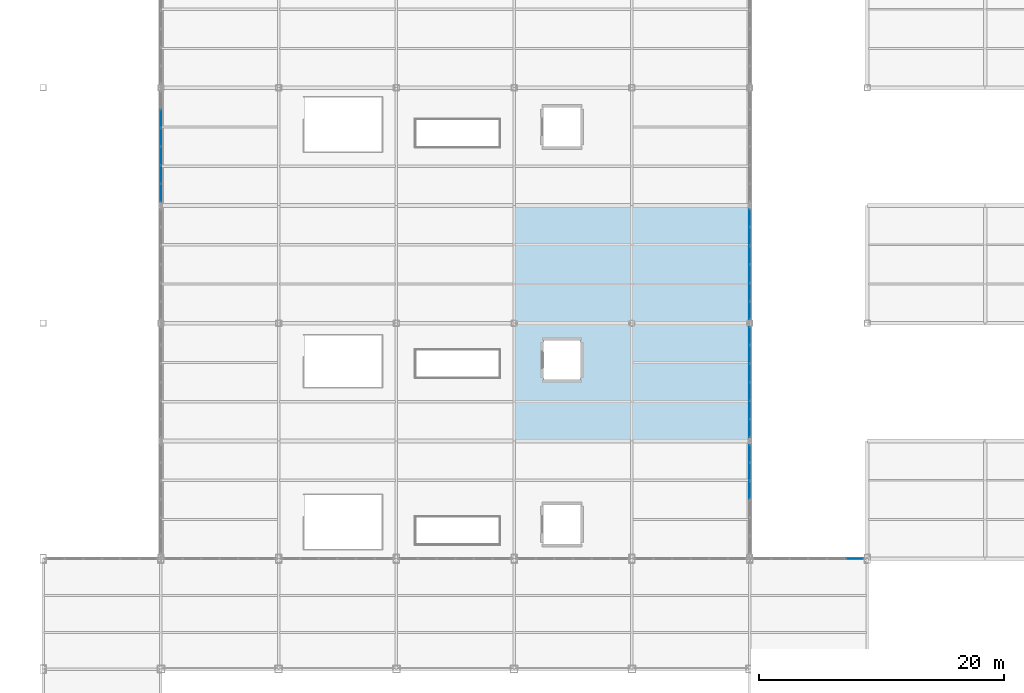
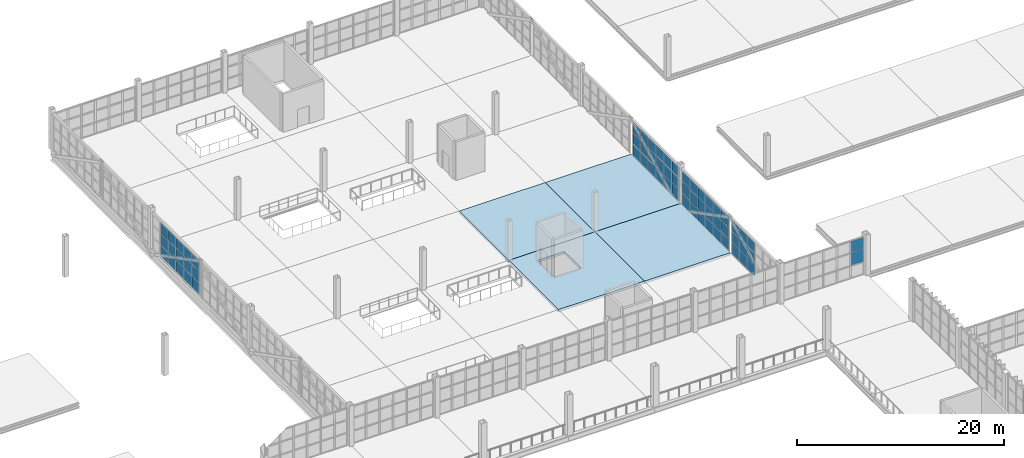
# One storey, part 85 of 120: 62 plates, 4 slabs, 5 elements without a shape of their own.
"""IFC4 building model written with IfcOpenShell, lengths in metres."""

import ifcopenshell
import ifcopenshell.guid

model = None  # the IFC model being written
_history = None  # IfcOwnerHistory: only IFC2X3 demands one
_inside = {}  # id of a spatial element -> (the spatial element, [elements in it])
_under = {}  # id of a project, library or spatial element -> (it, [spatial elements below it])
_declared = {}  # id of a project -> (the project, [libraries it declares])
_typed = {}  # id of a type object -> (the type object, [elements of that type])
_made_of = {}  # id of a material, layer set ... -> (it, [elements and type objects made of it])


def new_model(schema):
    """Start an empty IFC model of exactly this schema.

    Asked for "IFC4X3", IfcOpenShell would pick the latest addendum, in which some entities
    have other attributes; the version numbers below select the first issue.
    IFC2X3 requires an IfcOwnerHistory on every rooted entity: one is made here for all.
    """
    global model, _history
    if schema == "IFC4X3":
        model = ifcopenshell.file(schema_version=(4, 3, 0, 0))
    else:
        model = ifcopenshell.file(schema=schema)
    _inside.clear()
    _under.clear()
    _declared.clear()
    _typed.clear()
    _made_of.clear()
    _history = None
    if model.schema == "IFC2X3":
        org = make("IfcOrganization", Name="unknown")
        user = make(
            "IfcPersonAndOrganization",
            ThePerson=make("IfcPerson", FamilyName="unknown"),
            TheOrganization=org,
        )
        app = make(
            "IfcApplication",
            ApplicationDeveloper=org,
            Version="unknown",
            ApplicationFullName="unknown",
            ApplicationIdentifier="unknown",
        )
        _history = make(
            "IfcOwnerHistory",
            OwningUser=user,
            OwningApplication=app,
            ChangeAction="ADDED",
            CreationDate=0,
        )
    return model


def make(cls, **values):
    """One entity of the class cls with the attributes given. An attribute that is None is left unset."""
    return model.create_entity(
        cls, **{name: value for name, value in values.items() if value is not None}
    )


def rooted(cls, **values):
    """An entity with a GlobalId (a new one), such as an element, a storey or a relation."""
    return make(cls, GlobalId=ifcopenshell.guid.new(), OwnerHistory=_history, **values)


def si_unit(unit_type, name, prefix=None):
    """IfcSIUnit, for example si_unit("LENGTHUNIT", "METRE", prefix="MILLI")."""
    return make("IfcSIUnit", UnitType=unit_type, Prefix=prefix, Name=name)


def assignment(units):
    """IfcUnitAssignment: the units of a project."""
    return None if units is None else make("IfcUnitAssignment", Units=units)


def point(xyz):
    """IfcCartesianPoint."""
    return None if xyz is None else make("IfcCartesianPoint", Coordinates=xyz)


def direction(xyz):
    """IfcDirection."""
    return None if xyz is None else make("IfcDirection", DirectionRatios=xyz)


def frame(location, z_axis=None, x_axis=None):
    """IfcAxis2Placement3D, a coordinate frame: its origin and axes. An axis left out is left unset."""
    return make(
        "IfcAxis2Placement3D",
        Location=point(location),
        Axis=direction(z_axis),
        RefDirection=direction(x_axis),
    )


def frame_2d(location, x_axis=None):
    """IfcAxis2Placement2D, a coordinate frame in the plane: its origin and x axis."""
    return make(
        "IfcAxis2Placement2D", Location=point(location), RefDirection=direction(x_axis)
    )


def origin():
    """The frame at (0, 0, 0) with its axes left unset."""
    return frame((0.0, 0.0, 0.0))


def origin_2d():
    """The frame at (0, 0) in the plane with its x axis left unset."""
    return frame_2d((0.0, 0.0))


def place(relative_to, where):
    """IfcLocalPlacement: puts the frame where relative to a parent placement (None: the world)."""
    return make(
        "IfcLocalPlacement", PlacementRelTo=relative_to, RelativePlacement=where
    )


def context(
    kind, dimensions, precision=None, world=None, true_north=None, identifier=None
):
    """IfcGeometricRepresentationContext, for example the 3D "Model" context."""
    return make(
        "IfcGeometricRepresentationContext",
        ContextIdentifier=identifier,
        ContextType=kind,
        CoordinateSpaceDimension=dimensions,
        Precision=precision,
        WorldCoordinateSystem=world,
        TrueNorth=true_north,
    )


def subcontext(parent, identifier, kind, view, scale=None):
    """IfcGeometricRepresentationSubContext, for example "Body" below "Model"."""
    return make(
        "IfcGeometricRepresentationSubContext",
        ContextIdentifier=identifier,
        ContextType=kind,
        ParentContext=parent,
        TargetScale=scale,
        TargetView=view,
    )


def project(units=None, contexts=None):
    """IfcProject with its units and contexts."""
    return rooted(
        "IfcProject",
        Name="project",
        RepresentationContexts=contexts,
        UnitsInContext=assignment(units),
    )


def spatial(cls, under=None, at=None, **own):
    """A site, building, storey or space (cls), placed at a placement, below another one or the project."""
    s = rooted(cls, ObjectPlacement=at, **own)
    if under is not None:
        _under.setdefault(under.id(), (under, []))[1].append(s)
    return s


def polyline(points):
    """IfcPolyline through the points."""
    return make("IfcPolyline", Points=[point(p) for p in points])


def profile(cls, at=None, kind="AREA", **sizes):
    """A parametric profile (cls). Its sizes go by their IFC names, for example OverallWidth=200.0."""
    return make(cls, ProfileType=kind, Position=at, **sizes)


def rectangle(**sizes):
    """IfcRectangleProfileDef."""
    return profile("IfcRectangleProfileDef", **sizes)


def outline(outer, holes=None, kind="AREA"):
    """IfcArbitraryClosedProfileDef: a profile drawn as a closed curve; with holes, ...WithVoids."""
    if holes is None:
        return make("IfcArbitraryClosedProfileDef", ProfileType=kind, OuterCurve=outer)
    return make(
        "IfcArbitraryProfileDefWithVoids",
        ProfileType=kind,
        OuterCurve=outer,
        InnerCurves=holes,
    )


def extrude(swept, where, along, depth):
    """IfcExtrudedAreaSolid: the profile swept, set in the frame where, extruded along a direction by depth."""
    return make(
        "IfcExtrudedAreaSolid",
        SweptArea=swept,
        Position=where,
        ExtrudedDirection=direction(along),
        Depth=depth,
    )


def shape(context_of_items, identifier, shape_type, items):
    """IfcShapeRepresentation: the items that make up one representation, for example the "Body"."""
    return make(
        "IfcShapeRepresentation",
        ContextOfItems=context_of_items,
        RepresentationIdentifier=identifier,
        RepresentationType=shape_type,
        Items=items,
    )


def material(Name=None, Category=None):
    """IfcMaterial."""
    return make("IfcMaterial", Name=Name, Category=Category)


def layer(
    of_material, thickness, ventilated=None, Name=None, Category=None, Priority=None
):
    """IfcMaterialLayer: one layer of a wall or slab, of a material (None: an air gap)."""
    return make(
        "IfcMaterialLayer",
        Material=of_material,
        LayerThickness=thickness,
        IsVentilated=ventilated,
        Name=Name,
        Category=Category,
        Priority=Priority,
    )


def layer_set(layers, Name=None):
    """IfcMaterialLayerSet."""
    return make("IfcMaterialLayerSet", MaterialLayers=layers, LayerSetName=Name)


def made_of(thing, what):
    """Note that an element or type object is made of a material, layer set ...; save() writes the relation."""
    if what is not None:
        _made_of.setdefault(what.id(), (what, []))[1].append(thing)
    return thing


def type_object(cls, material=None, **own):
    """A type object (cls), such as IfcWallType, which elements share."""
    return made_of(rooted(cls, **own), material)


def element(
    cls,
    number,
    at=None,
    inside=None,
    cuts=None,
    type_object=None,
    material=None,
    context=None,
    identifier="Body",
    shape_type=None,
    held_by="IfcProductDefinitionShape",
    body=None,
    shapes=None,
    **own,
):
    """One element of the class cls, such as IfcWall. Its Tag is "e" and its number.

    at: its placement. inside: the storey or other place that contains it. cuts: it is an
    opening in that element (IfcRelVoidsElement). A single representation is given by context,
    identifier, shape_type and body (its items); several are given by shapes. held_by: the class
    of the entity that holds the representations. save() writes the other relations.
    """
    e = rooted(cls, Tag="e%d" % number, ObjectPlacement=at, **own)
    if body is not None:
        shapes = [shape(context, identifier, shape_type, body)]
    if shapes is not None:
        e.Representation = make(held_by, Representations=shapes)
    if inside is not None:
        _inside.setdefault(inside.id(), (inside, []))[1].append(e)
    if cuts is not None:
        rooted(
            "IfcRelVoidsElement", RelatingBuildingElement=cuts, RelatedOpeningElement=e
        )
    if type_object is not None:
        _typed.setdefault(type_object.id(), (type_object, []))[1].append(e)
    return made_of(e, material)


def aggregate(whole, parts):
    """IfcRelAggregates: a whole, such as a stair, and the parts it consists of."""
    return rooted("IfcRelAggregates", RelatingObject=whole, RelatedObjects=parts)


def save(model, path):
    """Write the relations noted so far, then the file.

    IfcRelAggregates (storeys below a building ...), IfcRelContainedInSpatialStructure (elements
    in a storey), IfcRelDefinesByType, IfcRelAssociatesMaterial and IfcRelDeclares: one each for
    every whole, place, type object, material and project.
    """
    for whole, parts in _under.values():
        aggregate(whole, parts)
    for where, things in _inside.values():
        rooted(
            "IfcRelContainedInSpatialStructure",
            RelatedElements=things,
            RelatingStructure=where,
        )
    for kind, things in _typed.values():
        rooted("IfcRelDefinesByType", RelatedObjects=things, RelatingType=kind)
    for what, things in _made_of.values():
        rooted("IfcRelAssociatesMaterial", RelatedObjects=things, RelatingMaterial=what)
    for by, libraries in _declared.values():
        rooted("IfcRelDeclares", RelatingContext=by, RelatedDefinitions=libraries)
    model.write(path)


model = new_model("IFC4")

# Units and contexts
model_context = context("Model", 3, precision=1e-05, world=origin(), true_north=direction((0.0, 1.0)))
body_context = subcontext(model_context, "Body", "Model", "MODEL_VIEW")
ifc_project = project(units=[si_unit("LENGTHUNIT", "METRE"), si_unit("AREAUNIT", "SQUARE_METRE"), si_unit("VOLUMEUNIT", "CUBIC_METRE"), si_unit("PLANEANGLEUNIT", "RADIAN"), si_unit("MASSUNIT", "GRAM", prefix="KILO")], contexts=[model_context])

# Site, building, storey
site_placement = place(None, origin())
site = spatial("IfcSite", under=ifc_project, at=site_placement, CompositionType="ELEMENT")
building_placement = place(site_placement, origin())
building = spatial("IfcBuilding", under=site, at=building_placement, Name="Zarnetskaya Central Station", CompositionType="ELEMENT")
storey_placement = place(building_placement, frame((0.0, 0.0, 5.39990234375)))
storey = spatial("IfcBuildingStorey", under=building, at=storey_placement, Name="L01", CompositionType="ELEMENT", Elevation=5.39990234375)

# Curtain wall, plates
ifc_material_1 = material(Name="Low-E insulated glass", Category="glass")
ifc_layer_1 = layer(ifc_material_1, 0.172119140625, Name="Low-E insulated glass", Category="glass")
ifc_layer_set_1 = layer_set([ifc_layer_1], Name="Low-E insulated glass")
curtain_wall_type_1 = type_object("IfcCurtainWallType", Name="CW-SYS-09", PredefinedType="USERDEFINED", material=ifc_layer_set_1)
curtain_wall_1_placement = place(storey_placement, origin())
curtain_wall_1 = element("IfcCurtainWall", 1, at=curtain_wall_1_placement, inside=storey, type_object=curtain_wall_type_1, Name="Curtain wall CW-L01-160", ObjectType="CURTAIN WALL", PredefinedType="USERDEFINED")
ifc_layer_2 = layer(ifc_material_1, 0.028076171875, Name="Low-E insulated glass", Category="glass")
ifc_layer_set_2 = layer_set([ifc_layer_2], Name="Low-E insulated glass")
plate_type_1 = type_object("IfcPlateType", Name="CW-PAN-28", PredefinedType="CURTAIN_PANEL", material=ifc_layer_set_2)
plate_1_placement = place(storey_placement, frame((115.199951171875, 94.9716796875, 0.080078125), z_axis=(0.0, 0.0, 1.0), x_axis=(0.0, -1.0, 0.0)))
plate_1 = element("IfcPlate", 2, at=plate_1_placement, type_object=plate_type_1, Name="CW-07 panel 1.1", PredefinedType="CURTAIN_PANEL", context=body_context, shape_type="SweptSolid", body=[
    extrude(rectangle(XDim=1.396728515625, YDim=0.028076171875, at=origin_2d()), origin(), (0.0, 0.0, 1.0), 1.27392578125),
])
plate_2_placement = place(storey_placement, frame((115.199951171875, 94.9716796875, 1.43408203125), z_axis=(0.0, 0.0, 1.0), x_axis=(0.0, -1.0, 0.0)))
plate_2 = element("IfcPlate", 3, at=plate_2_placement, type_object=plate_type_1, Name="CW-07 panel 1.2", PredefinedType="CURTAIN_PANEL", context=body_context, shape_type="SweptSolid", body=[
    extrude(rectangle(XDim=1.396728515625, YDim=0.028076171875, at=origin_2d()), origin(), (0.0, 0.0, 1.0), 1.31396484375),
])
plate_3_placement = place(storey_placement, frame((115.199951171875, 94.9716796875, 2.828125), z_axis=(0.0, 0.0, 1.0), x_axis=(0.0, -1.0, 0.0)))
plate_3 = element("IfcPlate", 4, at=plate_3_placement, type_object=plate_type_1, Name="CW-07 panel 1.3", PredefinedType="CURTAIN_PANEL", context=body_context, shape_type="SweptSolid", body=[
    extrude(rectangle(XDim=1.396728515625, YDim=0.028076171875, at=origin_2d()), origin(), (0.0, 0.0, 1.0), 1.19189453125),
])
plate_4_placement = place(storey_placement, frame((115.199951171875, 93.47509765625, 0.080078125), z_axis=(0.0, 0.0, 1.0), x_axis=(0.0, -1.0, 0.0)))
plate_4 = element("IfcPlate", 5, at=plate_4_placement, type_object=plate_type_1, Name="CW-07 panel 2.1", PredefinedType="CURTAIN_PANEL", context=body_context, shape_type="SweptSolid", body=[
    extrude(rectangle(XDim=1.436767578125, YDim=0.028076171875, at=origin_2d()), origin(), (0.0, 0.0, 1.0), 1.27392578125),
])
plate_5_placement = place(storey_placement, frame((115.199951171875, 93.47509765625, 1.43408203125), z_axis=(0.0, 0.0, 1.0), x_axis=(0.0, -1.0, 0.0)))
plate_5 = element("IfcPlate", 6, at=plate_5_placement, type_object=plate_type_1, Name="CW-07 panel 2.2", PredefinedType="CURTAIN_PANEL", context=body_context, shape_type="SweptSolid", body=[
    extrude(rectangle(XDim=1.436767578125, YDim=0.028076171875, at=origin_2d()), origin(), (0.0, 0.0, 1.0), 1.31396484375),
])
plate_6_placement = place(storey_placement, frame((115.199951171875, 93.47509765625, 2.828125), z_axis=(0.0, 0.0, 1.0), x_axis=(0.0, -1.0, 0.0)))
plate_6 = element("IfcPlate", 7, at=plate_6_placement, type_object=plate_type_1, Name="CW-07 panel 2.3", PredefinedType="CURTAIN_PANEL", context=body_context, shape_type="SweptSolid", body=[
    extrude(rectangle(XDim=1.436767578125, YDim=0.028076171875, at=origin_2d()), origin(), (0.0, 0.0, 1.0), 1.19189453125),
])
plate_7_placement = place(storey_placement, frame((115.199951171875, 91.958251953125, 0.080078125), z_axis=(0.0, 0.0, 1.0), x_axis=(0.0, -1.0, 0.0)))
plate_7 = element("IfcPlate", 8, at=plate_7_placement, type_object=plate_type_1, Name="CW-07 panel 3.1", PredefinedType="CURTAIN_PANEL", context=body_context, shape_type="SweptSolid", body=[
    extrude(rectangle(XDim=1.436767578125, YDim=0.028076171875, at=origin_2d()), origin(), (0.0, 0.0, 1.0), 1.27392578125),
])
plate_8_placement = place(storey_placement, frame((115.199951171875, 91.958251953125, 1.43408203125), z_axis=(0.0, 0.0, 1.0), x_axis=(0.0, -1.0, 0.0)))
plate_8 = element("IfcPlate", 9, at=plate_8_placement, type_object=plate_type_1, Name="CW-07 panel 3.2", PredefinedType="CURTAIN_PANEL", context=body_context, shape_type="SweptSolid", body=[
    extrude(rectangle(XDim=1.436767578125, YDim=0.028076171875, at=origin_2d()), origin(), (0.0, 0.0, 1.0), 1.31396484375),
])
plate_9_placement = place(storey_placement, frame((115.199951171875, 91.958251953125, 2.828125), z_axis=(0.0, 0.0, 1.0), x_axis=(0.0, -1.0, 0.0)))
plate_9 = element("IfcPlate", 10, at=plate_9_placement, type_object=plate_type_1, Name="CW-07 panel 3.3", PredefinedType="CURTAIN_PANEL", context=body_context, shape_type="SweptSolid", body=[
    extrude(rectangle(XDim=1.436767578125, YDim=0.028076171875, at=origin_2d()), origin(), (0.0, 0.0, 1.0), 1.19189453125),
])
plate_10_placement = place(storey_placement, frame((115.199951171875, 90.441650390625, 0.080078125), z_axis=(0.0, 0.0, 1.0), x_axis=(0.0, -1.0, 0.0)))
plate_10 = element("IfcPlate", 11, at=plate_10_placement, type_object=plate_type_1, Name="CW-07 panel 4.1", PredefinedType="CURTAIN_PANEL", context=body_context, shape_type="SweptSolid", body=[
    extrude(rectangle(XDim=1.436767578125, YDim=0.028076171875, at=origin_2d()), origin(), (0.0, 0.0, 1.0), 1.27392578125),
])
plate_11_placement = place(storey_placement, frame((115.199951171875, 90.441650390625, 1.43408203125), z_axis=(0.0, 0.0, 1.0), x_axis=(0.0, -1.0, 0.0)))
plate_11 = element("IfcPlate", 12, at=plate_11_placement, type_object=plate_type_1, Name="CW-07 panel 4.2", PredefinedType="CURTAIN_PANEL", context=body_context, shape_type="SweptSolid", body=[
    extrude(rectangle(XDim=1.436767578125, YDim=0.028076171875, at=origin_2d()), origin(), (0.0, 0.0, 1.0), 1.31396484375),
])
plate_12_placement = place(storey_placement, frame((115.199951171875, 90.441650390625, 2.828125), z_axis=(0.0, 0.0, 1.0), x_axis=(0.0, -1.0, 0.0)))
plate_12 = element("IfcPlate", 13, at=plate_12_placement, type_object=plate_type_1, Name="CW-07 panel 4.3", PredefinedType="CURTAIN_PANEL", context=body_context, shape_type="SweptSolid", body=[
    extrude(rectangle(XDim=1.436767578125, YDim=0.028076171875, at=origin_2d()), origin(), (0.0, 0.0, 1.0), 1.19189453125),
])
plate_13_placement = place(storey_placement, frame((115.199951171875, 88.925048828125, 0.080078125), z_axis=(0.0, 0.0, 1.0), x_axis=(0.0, -1.0, 0.0)))
plate_13 = element("IfcPlate", 14, at=plate_13_placement, type_object=plate_type_1, Name="CW-07 panel 5.1", PredefinedType="CURTAIN_PANEL", context=body_context, shape_type="SweptSolid", body=[
    extrude(rectangle(XDim=1.436767578125, YDim=0.028076171875, at=origin_2d()), origin(), (0.0, 0.0, 1.0), 1.27392578125),
])
plate_14_placement = place(storey_placement, frame((115.199951171875, 88.925048828125, 1.43408203125), z_axis=(0.0, 0.0, 1.0), x_axis=(0.0, -1.0, 0.0)))
plate_14 = element("IfcPlate", 15, at=plate_14_placement, type_object=plate_type_1, Name="CW-07 panel 5.2", PredefinedType="CURTAIN_PANEL", context=body_context, shape_type="SweptSolid", body=[
    extrude(rectangle(XDim=1.436767578125, YDim=0.028076171875, at=origin_2d()), origin(), (0.0, 0.0, 1.0), 1.31396484375),
])
plate_15_placement = place(storey_placement, frame((115.199951171875, 88.925048828125, 2.828125), z_axis=(0.0, 0.0, 1.0), x_axis=(0.0, -1.0, 0.0)))
plate_15 = element("IfcPlate", 16, at=plate_15_placement, type_object=plate_type_1, Name="CW-07 panel 5.3", PredefinedType="CURTAIN_PANEL", context=body_context, shape_type="SweptSolid", body=[
    extrude(rectangle(XDim=1.436767578125, YDim=0.028076171875, at=origin_2d()), origin(), (0.0, 0.0, 1.0), 1.19189453125),
])
plate_16_placement = place(storey_placement, frame((115.199951171875, 87.42822265625, 0.080078125), z_axis=(0.0, 0.0, 1.0), x_axis=(0.0, -1.0, 0.0)))
plate_16 = element("IfcPlate", 17, at=plate_16_placement, type_object=plate_type_1, Name="CW-07 panel 6.1", PredefinedType="CURTAIN_PANEL", context=body_context, shape_type="SweptSolid", body=[
    extrude(rectangle(XDim=1.396728515625, YDim=0.028076171875, at=origin_2d()), origin(), (0.0, 0.0, 1.0), 1.27392578125),
])
plate_17_placement = place(storey_placement, frame((115.199951171875, 87.42822265625, 1.43408203125), z_axis=(0.0, 0.0, 1.0), x_axis=(0.0, -1.0, 0.0)))
plate_17 = element("IfcPlate", 18, at=plate_17_placement, type_object=plate_type_1, Name="CW-07 panel 6.2", PredefinedType="CURTAIN_PANEL", context=body_context, shape_type="SweptSolid", body=[
    extrude(rectangle(XDim=1.396728515625, YDim=0.028076171875, at=origin_2d()), origin(), (0.0, 0.0, 1.0), 1.31396484375),
])
plate_18_placement = place(storey_placement, frame((115.199951171875, 87.42822265625, 2.828125), z_axis=(0.0, 0.0, 1.0), x_axis=(0.0, -1.0, 0.0)))
plate_18 = element("IfcPlate", 19, at=plate_18_placement, type_object=plate_type_1, Name="CW-07 panel 6.3", PredefinedType="CURTAIN_PANEL", context=body_context, shape_type="SweptSolid", body=[
    extrude(rectangle(XDim=1.396728515625, YDim=0.028076171875, at=origin_2d()), origin(), (0.0, 0.0, 1.0), 1.19189453125),
])
aggregate(curtain_wall_1, [plate_1, plate_2, plate_3, plate_4, plate_5, plate_6, plate_7, plate_8, plate_9, plate_10, plate_11, plate_12, plate_13, plate_14, plate_15, plate_16, plate_17, plate_18])

curtain_wall_2_placement = place(storey_placement, origin())
curtain_wall_2 = element("IfcCurtainWall", 20, at=curtain_wall_2_placement, inside=storey, type_object=curtain_wall_type_1, Name="Curtain wall CW-L01-161", ObjectType="CURTAIN WALL", PredefinedType="USERDEFINED")
ifc_layer_3 = layer(ifc_material_1, 0.031982421875, Name="Low-E insulated glass", Category="glass")
ifc_layer_set_3 = layer_set([ifc_layer_3], Name="Low-E insulated glass")
plate_type_2 = type_object("IfcPlateType", Name="CW-PAN-32", PredefinedType="CURTAIN_PANEL", material=ifc_layer_set_3)
plate_19_placement = place(storey_placement, frame((115.199951171875, 85.374267578125, 0.070068359375), z_axis=(0.0, 0.0, 1.0), x_axis=(0.0, -1.0, 0.0)))
plate_19 = element("IfcPlate", 21, at=plate_19_placement, type_object=plate_type_2, Name="CW-07 panel 1.1", PredefinedType="CURTAIN_PANEL", context=body_context, shape_type="SweptSolid", body=[
    extrude(rectangle(XDim=1.41162109375, YDim=0.031982421875, at=origin_2d()), origin(), (0.0, 0.0, 1.0), 1.2890625),
])
plate_20_placement = place(storey_placement, frame((115.199951171875, 85.374267578125, 1.42919921875), z_axis=(0.0, 0.0, 1.0), x_axis=(0.0, -1.0, 0.0)))
plate_20 = element("IfcPlate", 22, at=plate_20_placement, type_object=plate_type_2, Name="CW-07 panel 1.2", PredefinedType="CURTAIN_PANEL", context=body_context, shape_type="SweptSolid", body=[
    extrude(rectangle(XDim=1.41162109375, YDim=0.031982421875, at=origin_2d()), origin(), (0.0, 0.0, 1.0), 1.323974609375),
])
plate_21_placement = place(storey_placement, frame((115.199951171875, 85.374267578125, 2.822998046875), z_axis=(0.0, 0.0, 1.0), x_axis=(0.0, -1.0, 0.0)))
plate_21 = element("IfcPlate", 23, at=plate_21_placement, type_object=plate_type_2, Name="CW-07 panel 1.3", PredefinedType="CURTAIN_PANEL", context=body_context, shape_type="SweptSolid", body=[
    extrude(rectangle(XDim=1.41162109375, YDim=0.031982421875, at=origin_2d()), origin(), (0.0, 0.0, 1.0), 1.20703125),
])
plate_22_placement = place(storey_placement, frame((115.199951171875, 83.875, 0.070068359375), z_axis=(0.0, 0.0, 1.0), x_axis=(0.0, -1.0, 0.0)))
plate_22 = element("IfcPlate", 24, at=plate_22_placement, type_object=plate_type_2, Name="CW-07 panel 2.1", PredefinedType="CURTAIN_PANEL", context=body_context, shape_type="SweptSolid", body=[
    extrude(rectangle(XDim=1.44677734375, YDim=0.031982421875, at=origin_2d()), origin(), (0.0, 0.0, 1.0), 1.2890625),
])
plate_23_placement = place(storey_placement, frame((115.199951171875, 83.875, 1.42919921875), z_axis=(0.0, 0.0, 1.0), x_axis=(0.0, -1.0, 0.0)))
plate_23 = element("IfcPlate", 25, at=plate_23_placement, type_object=plate_type_2, Name="CW-07 panel 2.2", PredefinedType="CURTAIN_PANEL", context=body_context, shape_type="SweptSolid", body=[
    extrude(rectangle(XDim=1.44677734375, YDim=0.031982421875, at=origin_2d()), origin(), (0.0, 0.0, 1.0), 1.323974609375),
])
plate_24_placement = place(storey_placement, frame((115.199951171875, 83.875, 2.822998046875), z_axis=(0.0, 0.0, 1.0), x_axis=(0.0, -1.0, 0.0)))
plate_24 = element("IfcPlate", 26, at=plate_24_placement, type_object=plate_type_2, Name="CW-07 panel 2.3", PredefinedType="CURTAIN_PANEL", context=body_context, shape_type="SweptSolid", body=[
    extrude(rectangle(XDim=1.44677734375, YDim=0.031982421875, at=origin_2d()), origin(), (0.0, 0.0, 1.0), 1.20703125),
])
plate_25_placement = place(storey_placement, frame((115.199951171875, 82.3583984375, 0.070068359375), z_axis=(0.0, 0.0, 1.0), x_axis=(0.0, -1.0, 0.0)))
plate_25 = element("IfcPlate", 27, at=plate_25_placement, type_object=plate_type_2, Name="CW-07 panel 3.1", PredefinedType="CURTAIN_PANEL", context=body_context, shape_type="SweptSolid", body=[
    extrude(rectangle(XDim=1.44677734375, YDim=0.031982421875, at=origin_2d()), origin(), (0.0, 0.0, 1.0), 1.2890625),
])
plate_26_placement = place(storey_placement, frame((115.199951171875, 82.3583984375, 1.42919921875), z_axis=(0.0, 0.0, 1.0), x_axis=(0.0, -1.0, 0.0)))
plate_26 = element("IfcPlate", 28, at=plate_26_placement, type_object=plate_type_2, Name="CW-07 panel 3.2", PredefinedType="CURTAIN_PANEL", context=body_context, shape_type="SweptSolid", body=[
    extrude(rectangle(XDim=1.44677734375, YDim=0.031982421875, at=origin_2d()), origin(), (0.0, 0.0, 1.0), 1.323974609375),
])
plate_27_placement = place(storey_placement, frame((115.199951171875, 82.3583984375, 2.822998046875), z_axis=(0.0, 0.0, 1.0), x_axis=(0.0, -1.0, 0.0)))
plate_27 = element("IfcPlate", 29, at=plate_27_placement, type_object=plate_type_2, Name="CW-07 panel 3.3", PredefinedType="CURTAIN_PANEL", context=body_context, shape_type="SweptSolid", body=[
    extrude(rectangle(XDim=1.44677734375, YDim=0.031982421875, at=origin_2d()), origin(), (0.0, 0.0, 1.0), 1.20703125),
])
plate_28_placement = place(storey_placement, frame((115.199951171875, 80.841552734375, 0.070068359375), z_axis=(0.0, 0.0, 1.0), x_axis=(0.0, -1.0, 0.0)))
plate_28 = element("IfcPlate", 30, at=plate_28_placement, type_object=plate_type_2, Name="CW-07 panel 4.1", PredefinedType="CURTAIN_PANEL", context=body_context, shape_type="SweptSolid", body=[
    extrude(rectangle(XDim=1.44677734375, YDim=0.031982421875, at=origin_2d()), origin(), (0.0, 0.0, 1.0), 1.2890625),
])
plate_29_placement = place(storey_placement, frame((115.199951171875, 80.841552734375, 1.42919921875), z_axis=(0.0, 0.0, 1.0), x_axis=(0.0, -1.0, 0.0)))
plate_29 = element("IfcPlate", 31, at=plate_29_placement, type_object=plate_type_2, Name="CW-07 panel 4.2", PredefinedType="CURTAIN_PANEL", context=body_context, shape_type="SweptSolid", body=[
    extrude(rectangle(XDim=1.44677734375, YDim=0.031982421875, at=origin_2d()), origin(), (0.0, 0.0, 1.0), 1.323974609375),
])
plate_30_placement = place(storey_placement, frame((115.199951171875, 80.841552734375, 2.822998046875), z_axis=(0.0, 0.0, 1.0), x_axis=(0.0, -1.0, 0.0)))
plate_30 = element("IfcPlate", 32, at=plate_30_placement, type_object=plate_type_2, Name="CW-07 panel 4.3", PredefinedType="CURTAIN_PANEL", context=body_context, shape_type="SweptSolid", body=[
    extrude(rectangle(XDim=1.44677734375, YDim=0.031982421875, at=origin_2d()), origin(), (0.0, 0.0, 1.0), 1.20703125),
])
plate_31_placement = place(storey_placement, frame((115.199951171875, 79.324951171875, 0.070068359375), z_axis=(0.0, 0.0, 1.0), x_axis=(0.0, -1.0, 0.0)))
plate_31 = element("IfcPlate", 33, at=plate_31_placement, type_object=plate_type_2, Name="CW-07 panel 5.1", PredefinedType="CURTAIN_PANEL", context=body_context, shape_type="SweptSolid", body=[
    extrude(rectangle(XDim=1.44677734375, YDim=0.031982421875, at=origin_2d()), origin(), (0.0, 0.0, 1.0), 1.2890625),
])
plate_32_placement = place(storey_placement, frame((115.199951171875, 79.324951171875, 1.42919921875), z_axis=(0.0, 0.0, 1.0), x_axis=(0.0, -1.0, 0.0)))
plate_32 = element("IfcPlate", 34, at=plate_32_placement, type_object=plate_type_2, Name="CW-07 panel 5.2", PredefinedType="CURTAIN_PANEL", context=body_context, shape_type="SweptSolid", body=[
    extrude(rectangle(XDim=1.44677734375, YDim=0.031982421875, at=origin_2d()), origin(), (0.0, 0.0, 1.0), 1.323974609375),
])
plate_33_placement = place(storey_placement, frame((115.199951171875, 79.324951171875, 2.822998046875), z_axis=(0.0, 0.0, 1.0), x_axis=(0.0, -1.0, 0.0)))
plate_33 = element("IfcPlate", 35, at=plate_33_placement, type_object=plate_type_2, Name="CW-07 panel 5.3", PredefinedType="CURTAIN_PANEL", context=body_context, shape_type="SweptSolid", body=[
    extrude(rectangle(XDim=1.44677734375, YDim=0.031982421875, at=origin_2d()), origin(), (0.0, 0.0, 1.0), 1.20703125),
])
plate_34_placement = place(storey_placement, frame((115.199951171875, 77.825927734375, 0.070068359375), z_axis=(0.0, 0.0, 1.0), x_axis=(0.0, -1.0, 0.0)))
plate_34 = element("IfcPlate", 36, at=plate_34_placement, type_object=plate_type_2, Name="CW-07 panel 6.1", PredefinedType="CURTAIN_PANEL", context=body_context, shape_type="SweptSolid", body=[
    extrude(rectangle(XDim=1.41162109375, YDim=0.031982421875, at=origin_2d()), origin(), (0.0, 0.0, 1.0), 1.2890625),
])
plate_35_placement = place(storey_placement, frame((115.199951171875, 77.825927734375, 1.42919921875), z_axis=(0.0, 0.0, 1.0), x_axis=(0.0, -1.0, 0.0)))
plate_35 = element("IfcPlate", 37, at=plate_35_placement, type_object=plate_type_2, Name="CW-07 panel 6.2", PredefinedType="CURTAIN_PANEL", context=body_context, shape_type="SweptSolid", body=[
    extrude(rectangle(XDim=1.41162109375, YDim=0.031982421875, at=origin_2d()), origin(), (0.0, 0.0, 1.0), 1.323974609375),
])
plate_36_placement = place(storey_placement, frame((115.199951171875, 77.825927734375, 2.822998046875), z_axis=(0.0, 0.0, 1.0), x_axis=(0.0, -1.0, 0.0)))
plate_36 = element("IfcPlate", 38, at=plate_36_placement, type_object=plate_type_2, Name="CW-07 panel 6.3", PredefinedType="CURTAIN_PANEL", context=body_context, shape_type="SweptSolid", body=[
    extrude(rectangle(XDim=1.41162109375, YDim=0.031982421875, at=origin_2d()), origin(), (0.0, 0.0, 1.0), 1.20703125),
])
aggregate(curtain_wall_2, [plate_19, plate_20, plate_21, plate_22, plate_23, plate_24, plate_25, plate_26, plate_27, plate_28, plate_29, plate_30, plate_31, plate_32, plate_33, plate_34, plate_35, plate_36])

ifc_layer_4 = layer(ifc_material_1, 0.1640625, Name="Low-E insulated glass", Category="glass")
ifc_layer_set_4 = layer_set([ifc_layer_4], Name="Low-E insulated glass")
curtain_wall_type_2 = type_object("IfcCurtainWallType", Name="CW-SYS-17", PredefinedType="USERDEFINED", material=ifc_layer_set_4)
curtain_wall_3_placement = place(storey_placement, origin())
curtain_wall_3 = element("IfcCurtainWall", 39, at=curtain_wall_3_placement, inside=storey, type_object=curtain_wall_type_2, Name="Curtain wall CW-L01-087", ObjectType="CURTAIN WALL", PredefinedType="USERDEFINED")
ifc_layer_5 = layer(ifc_material_1, 0.035888671875, Name="Low-E insulated glass", Category="glass")
ifc_layer_set_5 = layer_set([ifc_layer_5], Name="Low-E insulated glass")
plate_type_3 = type_object("IfcPlateType", Name="CW-PAN-36", PredefinedType="CURTAIN_PANEL", material=ifc_layer_set_5)
plate_37_placement = place(storey_placement, frame((123.774169921875, 67.199951171875, 1.5478515625), z_axis=(0.0, 0.0, 1.0), x_axis=(1.0, 0.0, 0.0)))
plate_37 = element("IfcPlate", 40, at=plate_37_placement, type_object=plate_type_3, Name="CW-03 panel 6.2", PredefinedType="CURTAIN_PANEL", context=body_context, shape_type="SweptSolid", body=[
    extrude(rectangle(XDim=1.41162109375, YDim=0.035888671875, at=origin_2d()), origin(), (0.0, 0.0, 1.0), 1.443115234375),
])
plate_38_placement = place(storey_placement, frame((123.774169921875, 67.199951171875, 3.06103515625), z_axis=(0.0, 0.0, 1.0), x_axis=(1.0, 0.0, 0.0)))
plate_38 = element("IfcPlate", 41, at=plate_38_placement, type_object=plate_type_3, Name="CW-03 panel 6.3", PredefinedType="CURTAIN_PANEL", context=body_context, shape_type="SweptSolid", body=[
    extrude(rectangle(XDim=1.41162109375, YDim=0.035888671875, at=origin_2d()), origin(), (0.0, 0.0, 1.0), 1.319091796875),
])
aggregate(curtain_wall_3, [plate_37, plate_38])

curtain_wall_4_placement = place(storey_placement, origin())
curtain_wall_4 = element("IfcCurtainWall", 42, at=curtain_wall_4_placement, inside=storey, type_object=curtain_wall_type_1, Name="Curtain wall CW-L01-162", ObjectType="CURTAIN WALL", PredefinedType="USERDEFINED")
plate_39_placement = place(storey_placement, frame((115.199951171875, 75.780029296875, 0.080078125), z_axis=(0.0, 0.0, 1.0), x_axis=(0.0, -1.0, 0.0)))
plate_39 = element("IfcPlate", 43, at=plate_39_placement, type_object=plate_type_3, Name="CW-07 panel 1.1", PredefinedType="CURTAIN_PANEL", context=body_context, shape_type="SweptSolid", body=[
    extrude(rectangle(XDim=1.3798828125, YDim=0.035888671875, at=origin_2d()), origin(), (0.0, 0.0, 1.0), 1.27392578125),
])
plate_40_placement = place(storey_placement, frame((115.199951171875, 75.780029296875, 1.43408203125), z_axis=(0.0, 0.0, 1.0), x_axis=(0.0, -1.0, 0.0)))
plate_40 = element("IfcPlate", 44, at=plate_40_placement, type_object=plate_type_3, Name="CW-07 panel 1.2", PredefinedType="CURTAIN_PANEL", context=body_context, shape_type="SweptSolid", body=[
    extrude(rectangle(XDim=1.3798828125, YDim=0.035888671875, at=origin_2d()), origin(), (0.0, 0.0, 1.0), 1.31396484375),
])
plate_41_placement = place(storey_placement, frame((115.199951171875, 75.780029296875, 2.828125), z_axis=(0.0, 0.0, 1.0), x_axis=(0.0, -1.0, 0.0)))
plate_41 = element("IfcPlate", 45, at=plate_41_placement, type_object=plate_type_3, Name="CW-07 panel 1.3", PredefinedType="CURTAIN_PANEL", context=body_context, shape_type="SweptSolid", body=[
    extrude(rectangle(XDim=1.3798828125, YDim=0.035888671875, at=origin_2d()), origin(), (0.0, 0.0, 1.0), 1.19189453125),
])
plate_42_placement = place(storey_placement, frame((115.199951171875, 74.300048828125, 0.080078125), z_axis=(0.0, 0.0, 1.0), x_axis=(0.0, -1.0, 0.0)))
plate_42 = element("IfcPlate", 46, at=plate_42_placement, type_object=plate_type_3, Name="CW-07 panel 2.1", PredefinedType="CURTAIN_PANEL", context=body_context, shape_type="SweptSolid", body=[
    extrude(rectangle(XDim=1.419921875, YDim=0.035888671875, at=origin_2d()), origin(), (0.0, 0.0, 1.0), 1.27392578125),
])
plate_43_placement = place(storey_placement, frame((115.199951171875, 74.300048828125, 1.43408203125), z_axis=(0.0, 0.0, 1.0), x_axis=(0.0, -1.0, 0.0)))
plate_43 = element("IfcPlate", 47, at=plate_43_placement, type_object=plate_type_3, Name="CW-07 panel 2.2", PredefinedType="CURTAIN_PANEL", context=body_context, shape_type="SweptSolid", body=[
    extrude(rectangle(XDim=1.419921875, YDim=0.035888671875, at=origin_2d()), origin(), (0.0, 0.0, 1.0), 1.31396484375),
])
plate_44_placement = place(storey_placement, frame((115.199951171875, 74.300048828125, 2.828125), z_axis=(0.0, 0.0, 1.0), x_axis=(0.0, -1.0, 0.0)))
plate_44 = element("IfcPlate", 48, at=plate_44_placement, type_object=plate_type_3, Name="CW-07 panel 2.3", PredefinedType="CURTAIN_PANEL", context=body_context, shape_type="SweptSolid", body=[
    extrude(rectangle(XDim=1.419921875, YDim=0.035888671875, at=origin_2d()), origin(), (0.0, 0.0, 1.0), 1.19189453125),
])
plate_45_placement = place(storey_placement, frame((115.199951171875, 72.800048828125, 0.080078125), z_axis=(0.0, 0.0, 1.0), x_axis=(0.0, -1.0, 0.0)))
plate_45 = element("IfcPlate", 49, at=plate_45_placement, type_object=plate_type_3, Name="CW-07 panel 3.1", PredefinedType="CURTAIN_PANEL", context=body_context, shape_type="SweptSolid", body=[
    extrude(rectangle(XDim=1.419921875, YDim=0.035888671875, at=origin_2d()), origin(), (0.0, 0.0, 1.0), 1.27392578125),
])
plate_46_placement = place(storey_placement, frame((115.199951171875, 72.800048828125, 1.43408203125), z_axis=(0.0, 0.0, 1.0), x_axis=(0.0, -1.0, 0.0)))
plate_46 = element("IfcPlate", 50, at=plate_46_placement, type_object=plate_type_3, Name="CW-07 panel 3.2", PredefinedType="CURTAIN_PANEL", context=body_context, shape_type="SweptSolid", body=[
    extrude(rectangle(XDim=1.419921875, YDim=0.035888671875, at=origin_2d()), origin(), (0.0, 0.0, 1.0), 1.31396484375),
])
plate_47_placement = place(storey_placement, frame((115.199951171875, 72.800048828125, 2.828125), z_axis=(0.0, 0.0, 1.0), x_axis=(0.0, -1.0, 0.0)))
plate_47 = element("IfcPlate", 51, at=plate_47_placement, type_object=plate_type_3, Name="CW-07 panel 3.3", PredefinedType="CURTAIN_PANEL", context=body_context, shape_type="SweptSolid", body=[
    extrude(rectangle(XDim=1.419921875, YDim=0.035888671875, at=origin_2d()), origin(), (0.0, 0.0, 1.0), 1.19189453125),
])
aggregate(curtain_wall_4, [plate_39, plate_40, plate_41, plate_42, plate_43, plate_44, plate_45, plate_46, plate_47])

curtain_wall_5_placement = place(storey_placement, origin())
curtain_wall_5 = element("IfcCurtainWall", 52, at=curtain_wall_5_placement, inside=storey, type_object=curtain_wall_type_1, Name="Curtain wall CW-L01-149", ObjectType="CURTAIN WALL", PredefinedType="USERDEFINED")
ifc_layer_6 = layer(ifc_material_1, 0.0439453125, Name="Low-E insulated glass", Category="glass")
ifc_layer_set_6 = layer_set([ifc_layer_6], Name="Low-E insulated glass")
plate_type_4 = type_object("IfcPlateType", Name="CW-PAN-44", PredefinedType="CURTAIN_PANEL", material=ifc_layer_set_6)
plate_48_placement = place(storey_placement, frame((67.199951171875, 97.02587890625, 0.070068359375), z_axis=(0.0, 0.0, 1.0), x_axis=(0.0, 1.0, 0.0)))
plate_48 = element("IfcPlate", 53, at=plate_48_placement, type_object=plate_type_4, Name="CW-07 panel 1.1", PredefinedType="CURTAIN_PANEL", context=body_context, shape_type="SweptSolid", body=[
    extrude(rectangle(XDim=1.41162109375, YDim=0.0439453125, at=origin_2d()), origin(), (0.0, 0.0, 1.0), 1.2890625),
])
plate_49_placement = place(storey_placement, frame((67.199951171875, 97.02587890625, 1.42919921875), z_axis=(0.0, 0.0, 1.0), x_axis=(0.0, 1.0, 0.0)))
plate_49 = element("IfcPlate", 54, at=plate_49_placement, type_object=plate_type_4, Name="CW-07 panel 1.2", PredefinedType="CURTAIN_PANEL", context=body_context, shape_type="SweptSolid", body=[
    extrude(rectangle(XDim=1.41162109375, YDim=0.0439453125, at=origin_2d()), origin(), (0.0, 0.0, 1.0), 1.323974609375),
])
plate_50_placement = place(storey_placement, frame((67.199951171875, 97.02587890625, 2.822998046875), z_axis=(0.0, 0.0, 1.0), x_axis=(0.0, 1.0, 0.0)))
plate_50 = element("IfcPlate", 55, at=plate_50_placement, type_object=plate_type_4, Name="CW-07 panel 1.3", PredefinedType="CURTAIN_PANEL", context=body_context, shape_type="SweptSolid", body=[
    extrude(rectangle(XDim=1.41162109375, YDim=0.0439453125, at=origin_2d()), origin(), (0.0, 0.0, 1.0), 1.20703125),
])
plate_51_placement = place(storey_placement, frame((67.199951171875, 98.52490234375, 0.070068359375), z_axis=(0.0, 0.0, 1.0), x_axis=(0.0, 1.0, 0.0)))
plate_51 = element("IfcPlate", 56, at=plate_51_placement, type_object=plate_type_4, Name="CW-07 panel 2.1", PredefinedType="CURTAIN_PANEL", context=body_context, shape_type="SweptSolid", body=[
    extrude(rectangle(XDim=1.44677734375, YDim=0.0439453125, at=origin_2d()), origin(), (0.0, 0.0, 1.0), 1.2890625),
])
plate_52_placement = place(storey_placement, frame((67.199951171875, 98.52490234375, 1.42919921875), z_axis=(0.0, 0.0, 1.0), x_axis=(0.0, 1.0, 0.0)))
plate_52 = element("IfcPlate", 57, at=plate_52_placement, type_object=plate_type_4, Name="CW-07 panel 2.2", PredefinedType="CURTAIN_PANEL", context=body_context, shape_type="SweptSolid", body=[
    extrude(rectangle(XDim=1.44677734375, YDim=0.0439453125, at=origin_2d()), origin(), (0.0, 0.0, 1.0), 1.323974609375),
])
plate_53_placement = place(storey_placement, frame((67.199951171875, 98.52490234375, 2.822998046875), z_axis=(0.0, 0.0, 1.0), x_axis=(0.0, 1.0, 0.0)))
plate_53 = element("IfcPlate", 58, at=plate_53_placement, type_object=plate_type_4, Name="CW-07 panel 2.3", PredefinedType="CURTAIN_PANEL", context=body_context, shape_type="SweptSolid", body=[
    extrude(rectangle(XDim=1.44677734375, YDim=0.0439453125, at=origin_2d()), origin(), (0.0, 0.0, 1.0), 1.20703125),
])
plate_54_placement = place(storey_placement, frame((67.199951171875, 100.041748046875, 0.070068359375), z_axis=(0.0, 0.0, 1.0), x_axis=(0.0, 1.0, 0.0)))
plate_54 = element("IfcPlate", 59, at=plate_54_placement, type_object=plate_type_4, Name="CW-07 panel 3.1", PredefinedType="CURTAIN_PANEL", context=body_context, shape_type="SweptSolid", body=[
    extrude(rectangle(XDim=1.44677734375, YDim=0.0439453125, at=origin_2d()), origin(), (0.0, 0.0, 1.0), 1.2890625),
])
plate_55_placement = place(storey_placement, frame((67.199951171875, 100.041748046875, 1.42919921875), z_axis=(0.0, 0.0, 1.0), x_axis=(0.0, 1.0, 0.0)))
plate_55 = element("IfcPlate", 60, at=plate_55_placement, type_object=plate_type_4, Name="CW-07 panel 3.2", PredefinedType="CURTAIN_PANEL", context=body_context, shape_type="SweptSolid", body=[
    extrude(rectangle(XDim=1.44677734375, YDim=0.0439453125, at=origin_2d()), origin(), (0.0, 0.0, 1.0), 1.323974609375),
])
plate_56_placement = place(storey_placement, frame((67.199951171875, 100.041748046875, 2.822998046875), z_axis=(0.0, 0.0, 1.0), x_axis=(0.0, 1.0, 0.0)))
plate_56 = element("IfcPlate", 61, at=plate_56_placement, type_object=plate_type_4, Name="CW-07 panel 3.3", PredefinedType="CURTAIN_PANEL", context=body_context, shape_type="SweptSolid", body=[
    extrude(rectangle(XDim=1.44677734375, YDim=0.0439453125, at=origin_2d()), origin(), (0.0, 0.0, 1.0), 1.20703125),
])
plate_57_placement = place(storey_placement, frame((67.199951171875, 101.558349609375, 0.070068359375), z_axis=(0.0, 0.0, 1.0), x_axis=(0.0, 1.0, 0.0)))
plate_57 = element("IfcPlate", 62, at=plate_57_placement, type_object=plate_type_4, Name="CW-07 panel 4.1", PredefinedType="CURTAIN_PANEL", context=body_context, shape_type="SweptSolid", body=[
    extrude(rectangle(XDim=1.44677734375, YDim=0.0439453125, at=origin_2d()), origin(), (0.0, 0.0, 1.0), 1.2890625),
])
plate_58_placement = place(storey_placement, frame((67.199951171875, 101.558349609375, 1.42919921875), z_axis=(0.0, 0.0, 1.0), x_axis=(0.0, 1.0, 0.0)))
plate_58 = element("IfcPlate", 63, at=plate_58_placement, type_object=plate_type_4, Name="CW-07 panel 4.2", PredefinedType="CURTAIN_PANEL", context=body_context, shape_type="SweptSolid", body=[
    extrude(rectangle(XDim=1.44677734375, YDim=0.0439453125, at=origin_2d()), origin(), (0.0, 0.0, 1.0), 1.323974609375),
])
plate_59_placement = place(storey_placement, frame((67.199951171875, 101.558349609375, 2.822998046875), z_axis=(0.0, 0.0, 1.0), x_axis=(0.0, 1.0, 0.0)))
plate_59 = element("IfcPlate", 64, at=plate_59_placement, type_object=plate_type_4, Name="CW-07 panel 4.3", PredefinedType="CURTAIN_PANEL", context=body_context, shape_type="SweptSolid", body=[
    extrude(rectangle(XDim=1.44677734375, YDim=0.0439453125, at=origin_2d()), origin(), (0.0, 0.0, 1.0), 1.20703125),
])
plate_60_placement = place(storey_placement, frame((67.199951171875, 103.074951171875, 0.070068359375), z_axis=(0.0, 0.0, 1.0), x_axis=(0.0, 1.0, 0.0)))
plate_60 = element("IfcPlate", 65, at=plate_60_placement, type_object=plate_type_4, Name="CW-07 panel 5.1", PredefinedType="CURTAIN_PANEL", context=body_context, shape_type="SweptSolid", body=[
    extrude(rectangle(XDim=1.44677734375, YDim=0.0439453125, at=origin_2d()), origin(), (0.0, 0.0, 1.0), 1.2890625),
])
plate_61_placement = place(storey_placement, frame((67.199951171875, 103.074951171875, 1.42919921875), z_axis=(0.0, 0.0, 1.0), x_axis=(0.0, 1.0, 0.0)))
plate_61 = element("IfcPlate", 66, at=plate_61_placement, type_object=plate_type_4, Name="CW-07 panel 5.2", PredefinedType="CURTAIN_PANEL", context=body_context, shape_type="SweptSolid", body=[
    extrude(rectangle(XDim=1.44677734375, YDim=0.0439453125, at=origin_2d()), origin(), (0.0, 0.0, 1.0), 1.323974609375),
])
plate_62_placement = place(storey_placement, frame((67.199951171875, 103.074951171875, 2.822998046875), z_axis=(0.0, 0.0, 1.0), x_axis=(0.0, 1.0, 0.0)))
plate_62 = element("IfcPlate", 67, at=plate_62_placement, type_object=plate_type_4, Name="CW-07 panel 5.3", PredefinedType="CURTAIN_PANEL", context=body_context, shape_type="SweptSolid", body=[
    extrude(rectangle(XDim=1.44677734375, YDim=0.0439453125, at=origin_2d()), origin(), (0.0, 0.0, 1.0), 1.20703125),
])
aggregate(curtain_wall_5, [plate_48, plate_49, plate_50, plate_51, plate_52, plate_53, plate_54, plate_55, plate_56, plate_57, plate_58, plate_59, plate_60, plate_61, plate_62])

# Slabs
ifc_material_2 = material(Name="Concrete C30/37", Category="concrete")
ifc_layer_7 = layer(ifc_material_2, 0.280029296875, Name="Concrete C30/37", Category="concrete")
ifc_layer_set_7 = layer_set([ifc_layer_7], Name="Concrete C30/37")
slab_type = type_object("IfcSlabType", Name="SLAB-BRG-280", PredefinedType="FLOOR", material=ifc_layer_set_7)
slab_1_placement = place(storey_placement, frame((0.0, 0.0, -0.27978515625)))
element("IfcSlab", 68, at=slab_1_placement, inside=storey, type_object=slab_type, Name="L01 slab L-M/10-11", PredefinedType="FLOOR", context=body_context, shape_type="SweptSolid", body=[
    extrude(outline(polyline([(96.0, 76.800048828125), (105.60009765625, 76.800048828125), (105.60009765625, 86.39990234375), (96.0, 86.39990234375), (96.0, 76.800048828125)]), holes=[polyline([(98.39990234375, 81.800048828125), (101.39990234375, 81.800048828125), (101.39990234375, 85.0), (98.39990234375, 85.0), (98.39990234375, 81.800048828125)])]), origin(), (0.0, 0.0, 1.0), 0.27978515625),
])
slab_2_placement = place(storey_placement, frame((0.0, 0.0, -0.27978515625)))
element("IfcSlab", 69, at=slab_2_placement, inside=storey, type_object=slab_type, Name="L01 slab L-M/11-12", PredefinedType="FLOOR", context=body_context, shape_type="SweptSolid", body=[
    extrude(outline(polyline([(96.0, 86.39990234375), (105.60009765625, 86.39990234375), (105.60009765625, 96.0), (96.0, 96.0), (96.0, 86.39990234375)])), origin(), (0.0, 0.0, 1.0), 0.27978515625),
])
slab_3_placement = place(storey_placement, frame((0.0, 0.0, -0.27978515625)))
element("IfcSlab", 70, at=slab_3_placement, inside=storey, type_object=slab_type, Name="L01 slab M-N/10-11", PredefinedType="FLOOR", context=body_context, shape_type="SweptSolid", body=[
    extrude(outline(polyline([(105.60009765625, 76.800048828125), (115.199951171875, 76.800048828125), (115.199951171875, 86.39990234375), (105.60009765625, 86.39990234375), (105.60009765625, 76.800048828125)])), origin(), (0.0, 0.0, 1.0), 0.27978515625),
])
slab_4_placement = place(storey_placement, frame((0.0, 0.0, -0.27978515625)))
element("IfcSlab", 71, at=slab_4_placement, inside=storey, type_object=slab_type, Name="L01 slab M-N/11-12", PredefinedType="FLOOR", context=body_context, shape_type="SweptSolid", body=[
    extrude(outline(polyline([(105.60009765625, 86.39990234375), (115.199951171875, 86.39990234375), (115.199951171875, 96.0), (105.60009765625, 96.0), (105.60009765625, 86.39990234375)])), origin(), (0.0, 0.0, 1.0), 0.27978515625),
])

save(model, "model.ifc")
